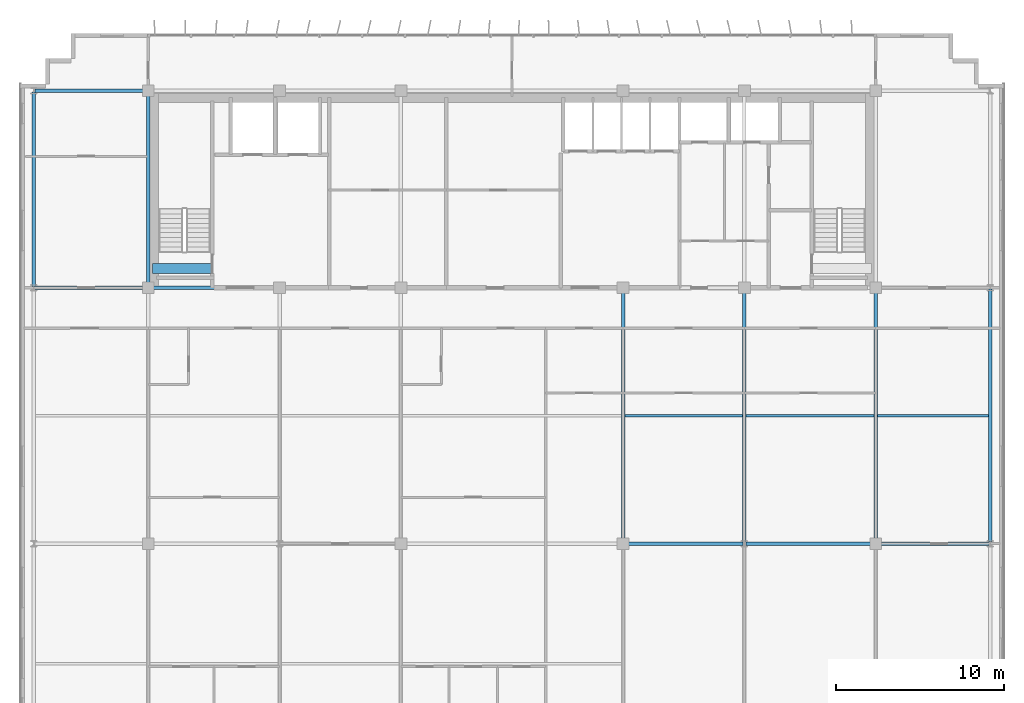
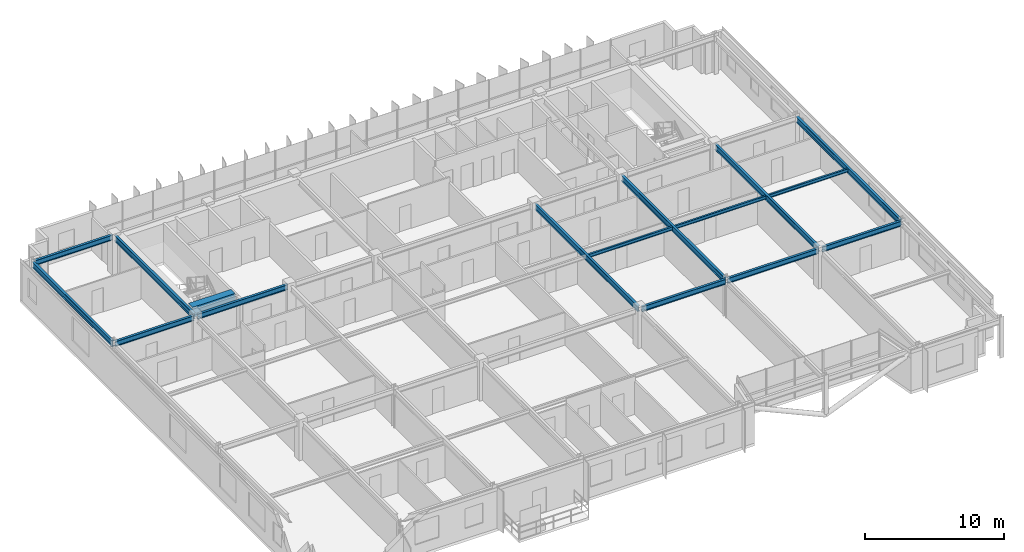
# One storey, part 9 of 27: 16 beams.
"""IFC4 building model written with IfcOpenShell, lengths in metres."""

from ifc_helpers import new_model, si_unit, direction, frame, origin, origin_2d, place, context, subcontext, project, spatial, rectangle, i_section, extrude, source, transform, mapped, material, material_profile, profile_set, type_object, element, save


model = new_model("IFC4")

# Units and contexts
model_context = context("Model", 3, precision=1e-05, world=origin(), true_north=direction((0.0, 1.0)))
body_context = subcontext(model_context, "Body", "Model", "MODEL_VIEW")
ifc_project = project(units=[si_unit("LENGTHUNIT", "METRE"), si_unit("AREAUNIT", "SQUARE_METRE"), si_unit("VOLUMEUNIT", "CUBIC_METRE"), si_unit("PLANEANGLEUNIT", "RADIAN"), si_unit("MASSUNIT", "GRAM", prefix="KILO")], contexts=[model_context])

# Site, building, storey
site_placement = place(None, origin())
site = spatial("IfcSite", under=ifc_project, at=site_placement, CompositionType="ELEMENT")
building_placement = place(site_placement, origin())
building = spatial("IfcBuilding", under=site, at=building_placement, Name="Trelvane Seafront Commons", CompositionType="ELEMENT")
storey_placement = place(building_placement, frame((0.0, 0.0, 233.699951171875)))
storey = spatial("IfcBuildingStorey", under=building, at=storey_placement, Name="L61", CompositionType="ELEMENT", Elevation=233.699951171875)

# Beams
ifc_material_1 = material(Name="Concrete C60/75", Category="concrete")
ifc_material_profile_1 = material_profile(ifc_material_1, rectangle(XDim=0.60009765625, YDim=0.89990234375, at=origin_2d()), Name="RC-600x900")
ifc_profile_set_1 = profile_set([ifc_material_profile_1], Name="Concrete C60/75")
beam_type_1 = type_object("IfcBeamType", Name="STR-LNT-RC600x900", PredefinedType="LINTEL", material=ifc_profile_set_1)
shared_shape_1 = source(origin(), body_context, "Body", "SweptSolid", [
    extrude(rectangle(XDim=0.60009765625, YDim=0.89990234375, at=origin_2d()), origin(), (0.0, 0.0, 1.0), 3.5498046875),
])
beam_1_placement = place(storey_placement, frame((15.85009765625, 34.550048828125, 2.91015625), z_axis=(1.0, 0.0, 0.0), x_axis=(0.0, 1.0, 0.0)))
element("IfcBeam", 1, at=beam_1_placement, inside=storey, type_object=beam_type_1, Name="L61 Core Coupling Lintel Beam CB-65", PredefinedType="LINTEL", context=body_context, shape_type="MappedRepresentation", body=[
    mapped(shared_shape_1, transform((0.0, 0.0, 0.0), x_axis=(1.0, 0.0, 0.0), y_axis=(0.0, 1.0, 0.0), z_axis=(0.0, 0.0, 1.0), scale=1.0)),
])
ifc_material_2 = material(Name="Steel SM355 (S355)", Category="steel")
ifc_material_profile_2 = material_profile(ifc_material_2, i_section(OverallWidth=0.199951171875, OverallDepth=0.5, WebThickness=0.010009765625, FlangeThickness=0.01611328125, at=origin_2d()), Name="H-500x200x10x16")
ifc_profile_set_2 = profile_set([ifc_material_profile_2], Name="Steel SM355 (S355)")
beam_type_2 = type_object("IfcBeamType", Name="STR-BM-H500", PredefinedType="BEAM", material=ifc_profile_set_2)
shared_shape_2 = source(origin(), body_context, "Body", "SweptSolid", [
    extrude(i_section(OverallWidth=0.199951171875, OverallDepth=0.5, WebThickness=0.010009765625, FlangeThickness=0.01611328125, at=origin_2d()), origin(), (0.0, 0.0, 1.0), 14.89990234375),
])
for number, where, z_axis, x_axis, name in (
    (2, (43.800048828125, 18.35009765625, 3.110107421875), (0.0, 1.0, 0.0), (-1.0, 0.0, 0.0), "L61 Primary Girder G-42"),
    (3, (58.800048828125, 18.35009765625, 3.110107421875), (0.0, 1.0, 0.0), (-1.0, 0.0, 0.0), "L61 Primary Girder G-48"),
):
    element("IfcBeam", number, at=place(storey_placement, frame(where, z_axis=z_axis, x_axis=x_axis)), inside=storey, type_object=beam_type_2, Name=name, PredefinedType="BEAM", context=body_context, shape_type="MappedRepresentation", body=[
        mapped(shared_shape_2, transform((0.0, 0.0, 0.0), x_axis=(1.0, 0.0, 0.0), y_axis=(0.0, 1.0, 0.0), z_axis=(0.0, 0.0, 1.0), scale=1.0)),
    ])
shared_shape_3 = source(origin(), body_context, "Body", "SweptSolid", [
    extrude(i_section(OverallWidth=0.199951171875, OverallDepth=0.5, WebThickness=0.010009765625, FlangeThickness=0.01611328125, at=origin_2d()), origin(), (0.0, 0.0, 1.0), 11.39990234375),
])
beam_2_placement = place(storey_placement, frame((15.60009765625, 33.550048828125, 3.110107421875), z_axis=(0.0, 1.0, 0.0), x_axis=(-1.0, 0.0, 0.0)))
element("IfcBeam", 4, at=beam_2_placement, inside=storey, type_object=beam_type_2, Name="L61 Primary Girder G-34", PredefinedType="BEAM", context=body_context, shape_type="MappedRepresentation", body=[
    mapped(shared_shape_3, transform((0.0, 0.0, 0.0), x_axis=(1.0, 0.0, 0.0), y_axis=(0.0, 1.0, 0.0), z_axis=(0.0, 0.0, 1.0), scale=1.0)),
])
ifc_material_profile_3 = material_profile(ifc_material_2, i_section(OverallWidth=0.199951171875, OverallDepth=0.449951171875, WebThickness=0.009033203125, FlangeThickness=0.013916015625, at=origin_2d()), Name="H-450x200x9x14")
ifc_profile_set_3 = profile_set([ifc_material_profile_3], Name="Steel SM355 (S355)")
beam_type_3 = type_object("IfcBeamType", Name="STR-SPD-H450", PredefinedType="SPANDREL", material=ifc_profile_set_3)
shared_shape_4 = source(origin(), body_context, "Body", "SweptSolid", [
    extrude(i_section(OverallWidth=0.199951171875, OverallDepth=0.449951171875, WebThickness=0.009033203125, FlangeThickness=0.013916015625, at=origin_2d()), origin(), (0.0, 0.0, 1.0), 6.5625),
])
for number, where, z_axis, x_axis, name in (
    (5, (58.949951171875, 18.199951171875, 3.135009765625), (1.0, 0.0, 0.0), (0.0, 1.0, 0.0), "L61 Primary Girder G-14"),
    (6, (8.887451171875, 33.39990234375, 3.135009765625), (1.0, 0.0, 0.0), (0.0, 1.0, 0.0), "L61 Primary Girder G-15"),
    (7, (8.887451171875, 45.10009765625, 3.135009765625), (1.0, 0.0, 0.0), (0.0, 1.0, 0.0), "L61 Primary Girder G-22"),
):
    element("IfcBeam", number, at=place(storey_placement, frame(where, z_axis=z_axis, x_axis=x_axis)), inside=storey, type_object=beam_type_3, Name=name, PredefinedType="SPANDREL", context=body_context, shape_type="MappedRepresentation", body=[
        mapped(shared_shape_4, transform((0.0, 0.0, 0.0), x_axis=(1.0, 0.0, 0.0), y_axis=(0.0, 1.0, 0.0), z_axis=(0.0, 0.0, 1.0), scale=1.0)),
    ])
shared_shape_5 = source(origin(), body_context, "Body", "SweptSolid", [
    extrude(i_section(OverallWidth=0.199951171875, OverallDepth=0.449951171875, WebThickness=0.009033203125, FlangeThickness=0.013916015625, at=origin_2d()), origin(), (0.0, 0.0, 1.0), 7.5625),
])
beam_3_placement = place(storey_placement, frame((51.08740234375, 18.199951171875, 3.135009765625), z_axis=(1.0, 0.0, 0.0), x_axis=(0.0, 1.0, 0.0)))
element("IfcBeam", 8, at=beam_3_placement, inside=storey, type_object=beam_type_3, Name="L61 Primary Girder G-13", PredefinedType="SPANDREL", context=body_context, shape_type="MappedRepresentation", body=[
    mapped(shared_shape_5, transform((0.0, 0.0, 0.0), x_axis=(1.0, 0.0, 0.0), y_axis=(0.0, 1.0, 0.0), z_axis=(0.0, 0.0, 1.0), scale=1.0)),
])
shared_shape_6 = source(origin(), body_context, "Body", "SweptSolid", [
    extrude(i_section(OverallWidth=0.199951171875, OverallDepth=0.449951171875, WebThickness=0.009033203125, FlangeThickness=0.013916015625, at=origin_2d()), origin(), (0.0, 0.0, 1.0), 6.962646484375),
])
beam_4_placement = place(storey_placement, frame((43.949951171875, 18.199951171875, 3.135009765625), z_axis=(1.0, 0.0, 0.0), x_axis=(0.0, 1.0, 0.0)))
element("IfcBeam", 9, at=beam_4_placement, inside=storey, type_object=beam_type_3, Name="L61 Primary Girder G-12", PredefinedType="SPANDREL", context=body_context, shape_type="MappedRepresentation", body=[
    mapped(shared_shape_6, transform((0.0, 0.0, 0.0), x_axis=(1.0, 0.0, 0.0), y_axis=(0.0, 1.0, 0.0), z_axis=(0.0, 0.0, 1.0), scale=1.0)),
])
shared_shape_7 = source(origin(), body_context, "Body", "SweptSolid", [
    extrude(i_section(OverallWidth=0.199951171875, OverallDepth=0.449951171875, WebThickness=0.009033203125, FlangeThickness=0.013916015625, at=origin_2d()), origin(), (0.0, 0.0, 1.0), 7.5),
])
beam_5_placement = place(storey_placement, frame((15.75, 33.39990234375, 3.135009765625), z_axis=(1.0, 0.0, 0.0), x_axis=(0.0, 1.0, 0.0)))
element("IfcBeam", 10, at=beam_5_placement, inside=storey, type_object=beam_type_3, Name="L61 Primary Girder G-16", PredefinedType="SPANDREL", context=body_context, shape_type="MappedRepresentation", body=[
    mapped(shared_shape_7, transform((0.0, 0.0, 0.0), x_axis=(1.0, 0.0, 0.0), y_axis=(0.0, 1.0, 0.0), z_axis=(0.0, 0.0, 1.0), scale=1.0)),
])
shared_shape_8 = source(origin(), body_context, "Body", "SweptSolid", [
    extrude(i_section(OverallWidth=0.199951171875, OverallDepth=0.5, WebThickness=0.010009765625, FlangeThickness=0.01611328125, at=origin_2d()), origin(), (0.0, 0.0, 1.0), 15.02490234375),
])
beam_6_placement = place(storey_placement, frame((65.60009765625, 18.28759765625, 3.110107421875), z_axis=(0.0, 1.0, 0.0), x_axis=(-1.0, 0.0, 0.0)))
element("IfcBeam", 11, at=beam_6_placement, inside=storey, type_object=beam_type_2, Name="L61 Primary Girder G-51", PredefinedType="BEAM", context=body_context, shape_type="MappedRepresentation", body=[
    mapped(shared_shape_8, transform((0.0, 0.0, 0.0), x_axis=(1.0, 0.0, 0.0), y_axis=(0.0, 1.0, 0.0), z_axis=(0.0, 0.0, 1.0), scale=1.0)),
])
shared_shape_9 = source(origin(), body_context, "Body", "SweptSolid", [
    extrude(i_section(OverallWidth=0.199951171875, OverallDepth=0.5, WebThickness=0.010009765625, FlangeThickness=0.01611328125, at=origin_2d()), origin(), (0.0, 0.0, 1.0), 11.52490234375),
])
beam_7_placement = place(storey_placement, frame((8.800048828125, 33.487548828125, 3.110107421875), z_axis=(0.0, 1.0, 0.0), x_axis=(-1.0, 0.0, 0.0)))
element("IfcBeam", 12, at=beam_7_placement, inside=storey, type_object=beam_type_2, Name="L61 Primary Girder G-31", PredefinedType="BEAM", context=body_context, shape_type="MappedRepresentation", body=[
    mapped(shared_shape_9, transform((0.0, 0.0, 0.0), x_axis=(1.0, 0.0, 0.0), y_axis=(0.0, 1.0, 0.0), z_axis=(0.0, 0.0, 1.0), scale=1.0)),
])
shared_shape_10 = source(origin(), body_context, "Body", "SweptSolid", [
    extrude(i_section(OverallWidth=0.199951171875, OverallDepth=0.5, WebThickness=0.010009765625, FlangeThickness=0.01611328125, at=origin_2d()), origin(), (0.0, 0.0, 1.0), 14.96240234375),
])
beam_8_placement = place(storey_placement, frame((51.0, 18.28759765625, 3.110107421875), z_axis=(0.0, 1.0, 0.0), x_axis=(-1.0, 0.0, 0.0)))
element("IfcBeam", 13, at=beam_8_placement, inside=storey, type_object=beam_type_2, Name="L61 Primary Girder G-45", PredefinedType="BEAM", context=body_context, shape_type="MappedRepresentation", body=[
    mapped(shared_shape_10, transform((0.0, 0.0, 0.0), x_axis=(1.0, 0.0, 0.0), y_axis=(0.0, 1.0, 0.0), z_axis=(0.0, 0.0, 1.0), scale=1.0)),
])
ifc_material_profile_4 = material_profile(ifc_material_2, i_section(OverallWidth=0.14990234375, OverallDepth=0.300048828125, WebThickness=0.006591796875, FlangeThickness=0.009033203125, at=origin_2d()), Name="H-300x150x6.5x9")
ifc_profile_set_4 = profile_set([ifc_material_profile_4], Name="Steel SM355 (S355)")
beam_type_4 = type_object("IfcBeamType", Name="STR-JST-H300", PredefinedType="JOIST", material=ifc_profile_set_4)
shared_shape_11 = source(origin(), body_context, "Body", "SweptSolid", [
    extrude(i_section(OverallWidth=0.14990234375, OverallDepth=0.300048828125, WebThickness=0.006591796875, FlangeThickness=0.009033203125, at=origin_2d()), origin(), (0.0, 0.0, 1.0), 6.60009765625),
])
beam_9_placement = place(storey_placement, frame((58.89990234375, 25.800048828125, 3.2099609375), z_axis=(1.0, 0.0, 0.0), x_axis=(0.0, 1.0, 0.0)))
element("IfcBeam", 14, at=beam_9_placement, inside=storey, type_object=beam_type_4, Name="L61 Secondary Floor Joist B-64", PredefinedType="JOIST", context=body_context, shape_type="MappedRepresentation", body=[
    mapped(shared_shape_11, transform((0.0, 0.0, 0.0), x_axis=(1.0, 0.0, 0.0), y_axis=(0.0, 1.0, 0.0), z_axis=(0.0, 0.0, 1.0), scale=1.0)),
])
shared_shape_12 = source(origin(), body_context, "Body", "SweptSolid", [
    extrude(i_section(OverallWidth=0.14990234375, OverallDepth=0.300048828125, WebThickness=0.006591796875, FlangeThickness=0.009033203125, at=origin_2d()), origin(), (0.0, 0.0, 1.0), 7.0),
])
beam_10_placement = place(storey_placement, frame((43.89990234375, 25.800048828125, 3.2099609375), z_axis=(1.0, 0.0, 0.0), x_axis=(0.0, 1.0, 0.0)))
element("IfcBeam", 15, at=beam_10_placement, inside=storey, type_object=beam_type_4, Name="L61 Secondary Floor Joist B-62", PredefinedType="JOIST", context=body_context, shape_type="MappedRepresentation", body=[
    mapped(shared_shape_12, transform((0.0, 0.0, 0.0), x_axis=(1.0, 0.0, 0.0), y_axis=(0.0, 1.0, 0.0), z_axis=(0.0, 0.0, 1.0), scale=1.0)),
])
shared_shape_13 = source(origin(), body_context, "Body", "SweptSolid", [
    extrude(i_section(OverallWidth=0.14990234375, OverallDepth=0.300048828125, WebThickness=0.006591796875, FlangeThickness=0.009033203125, at=origin_2d()), origin(), (0.0, 0.0, 1.0), 7.599853515625),
])
beam_11_placement = place(storey_placement, frame((51.10009765625, 25.800048828125, 3.2099609375), z_axis=(1.0, 0.0, 0.0), x_axis=(0.0, 1.0, 0.0)))
element("IfcBeam", 16, at=beam_11_placement, inside=storey, type_object=beam_type_4, Name="L61 Secondary Floor Joist B-63", PredefinedType="JOIST", context=body_context, shape_type="MappedRepresentation", body=[
    mapped(shared_shape_13, transform((0.0, 0.0, 0.0), x_axis=(1.0, 0.0, 0.0), y_axis=(0.0, 1.0, 0.0), z_axis=(0.0, 0.0, 1.0), scale=1.0)),
])

save(model, "model.ifc")
